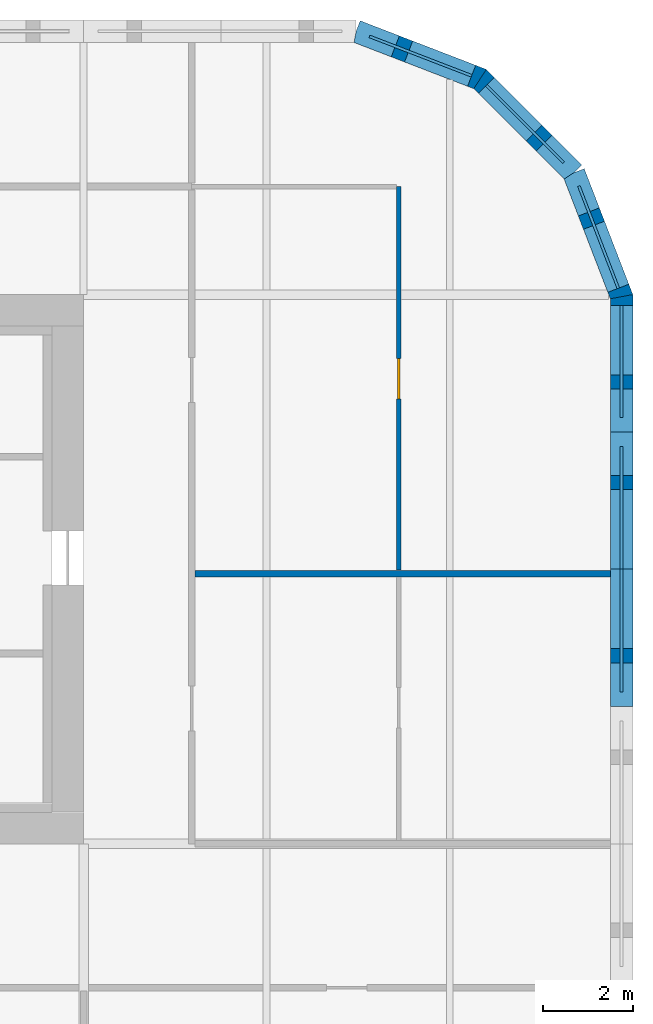
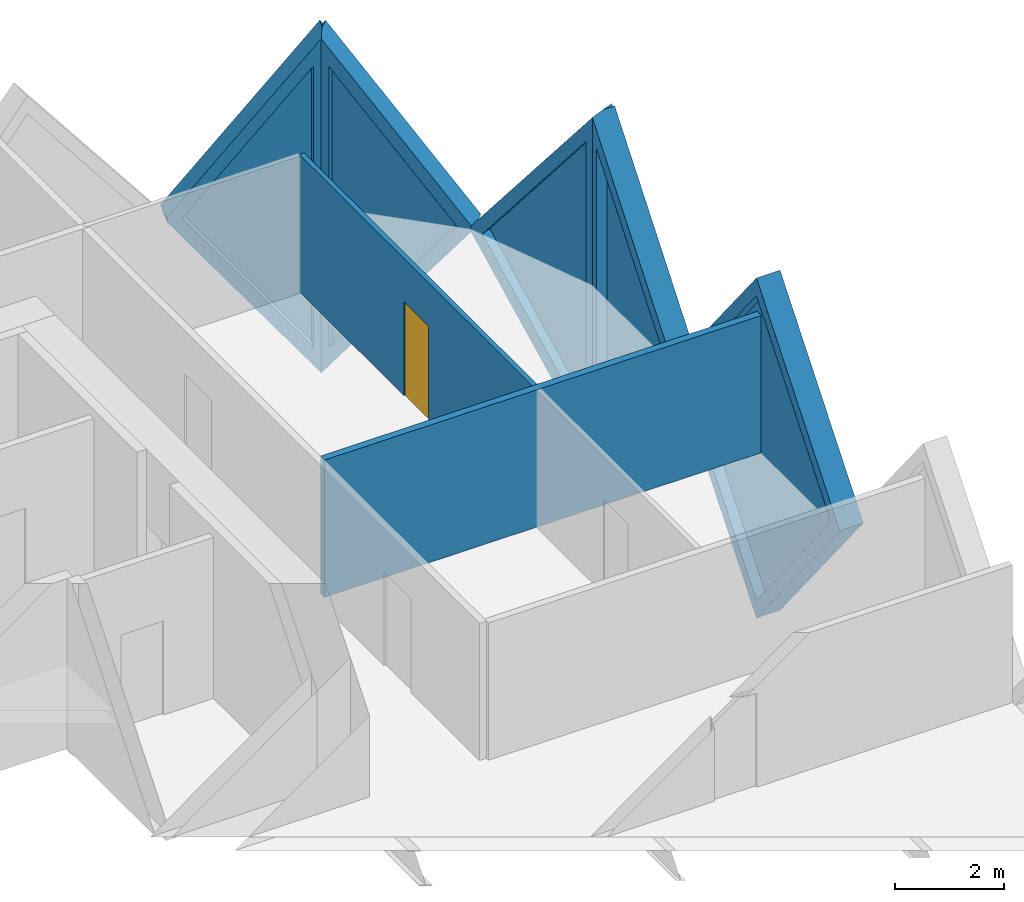
# One storey, part 15 of 18: 7 walls, 5 plates, 1 door, 6 openings.
"""IFC4 building model written with IfcOpenShell, lengths in metres."""

import ifcopenshell
import ifcopenshell.guid

model = None  # the IFC model being written
_history = None  # IfcOwnerHistory: only IFC2X3 demands one
_inside = {}  # id of a spatial element -> (the spatial element, [elements in it])
_under = {}  # id of a project, library or spatial element -> (it, [spatial elements below it])
_declared = {}  # id of a project -> (the project, [libraries it declares])
_typed = {}  # id of a type object -> (the type object, [elements of that type])
_made_of = {}  # id of a material, layer set ... -> (it, [elements and type objects made of it])


def new_model(schema):
    """Start an empty IFC model of exactly this schema.

    Asked for "IFC4X3", IfcOpenShell would pick the latest addendum, in which some entities
    have other attributes; the version numbers below select the first issue.
    IFC2X3 requires an IfcOwnerHistory on every rooted entity: one is made here for all.
    """
    global model, _history
    if schema == "IFC4X3":
        model = ifcopenshell.file(schema_version=(4, 3, 0, 0))
    else:
        model = ifcopenshell.file(schema=schema)
    _inside.clear()
    _under.clear()
    _declared.clear()
    _typed.clear()
    _made_of.clear()
    _history = None
    if model.schema == "IFC2X3":
        org = make("IfcOrganization", Name="unknown")
        user = make(
            "IfcPersonAndOrganization",
            ThePerson=make("IfcPerson", FamilyName="unknown"),
            TheOrganization=org,
        )
        app = make(
            "IfcApplication",
            ApplicationDeveloper=org,
            Version="unknown",
            ApplicationFullName="unknown",
            ApplicationIdentifier="unknown",
        )
        _history = make(
            "IfcOwnerHistory",
            OwningUser=user,
            OwningApplication=app,
            ChangeAction="ADDED",
            CreationDate=0,
        )
    return model


def make(cls, **values):
    """One entity of the class cls with the attributes given. An attribute that is None is left unset."""
    return model.create_entity(
        cls, **{name: value for name, value in values.items() if value is not None}
    )


def rooted(cls, **values):
    """An entity with a GlobalId (a new one), such as an element, a storey or a relation."""
    return make(cls, GlobalId=ifcopenshell.guid.new(), OwnerHistory=_history, **values)


def si_unit(unit_type, name, prefix=None):
    """IfcSIUnit, for example si_unit("LENGTHUNIT", "METRE", prefix="MILLI")."""
    return make("IfcSIUnit", UnitType=unit_type, Prefix=prefix, Name=name)


def assignment(units):
    """IfcUnitAssignment: the units of a project."""
    return None if units is None else make("IfcUnitAssignment", Units=units)


def point(xyz):
    """IfcCartesianPoint."""
    return None if xyz is None else make("IfcCartesianPoint", Coordinates=xyz)


def direction(xyz):
    """IfcDirection."""
    return None if xyz is None else make("IfcDirection", DirectionRatios=xyz)


def frame(location, z_axis=None, x_axis=None):
    """IfcAxis2Placement3D, a coordinate frame: its origin and axes. An axis left out is left unset."""
    return make(
        "IfcAxis2Placement3D",
        Location=point(location),
        Axis=direction(z_axis),
        RefDirection=direction(x_axis),
    )


def frame_2d(location, x_axis=None):
    """IfcAxis2Placement2D, a coordinate frame in the plane: its origin and x axis."""
    return make(
        "IfcAxis2Placement2D", Location=point(location), RefDirection=direction(x_axis)
    )


def origin():
    """The frame at (0, 0, 0) with its axes left unset."""
    return frame((0.0, 0.0, 0.0))


def place(relative_to, where):
    """IfcLocalPlacement: puts the frame where relative to a parent placement (None: the world)."""
    return make(
        "IfcLocalPlacement", PlacementRelTo=relative_to, RelativePlacement=where
    )


def context(
    kind, dimensions, precision=None, world=None, true_north=None, identifier=None
):
    """IfcGeometricRepresentationContext, for example the 3D "Model" context."""
    return make(
        "IfcGeometricRepresentationContext",
        ContextIdentifier=identifier,
        ContextType=kind,
        CoordinateSpaceDimension=dimensions,
        Precision=precision,
        WorldCoordinateSystem=world,
        TrueNorth=true_north,
    )


def subcontext(parent, identifier, kind, view, scale=None):
    """IfcGeometricRepresentationSubContext, for example "Body" below "Model"."""
    return make(
        "IfcGeometricRepresentationSubContext",
        ContextIdentifier=identifier,
        ContextType=kind,
        ParentContext=parent,
        TargetScale=scale,
        TargetView=view,
    )


def project(units=None, contexts=None):
    """IfcProject with its units and contexts."""
    return rooted(
        "IfcProject",
        Name="project",
        RepresentationContexts=contexts,
        UnitsInContext=assignment(units),
    )


def spatial(cls, under=None, at=None, **own):
    """A site, building, storey or space (cls), placed at a placement, below another one or the project."""
    s = rooted(cls, ObjectPlacement=at, **own)
    if under is not None:
        _under.setdefault(under.id(), (under, []))[1].append(s)
    return s


def polyline(points):
    """IfcPolyline through the points."""
    return make("IfcPolyline", Points=[point(p) for p in points])


def profile(cls, at=None, kind="AREA", **sizes):
    """A parametric profile (cls). Its sizes go by their IFC names, for example OverallWidth=200.0."""
    return make(cls, ProfileType=kind, Position=at, **sizes)


def rectangle(**sizes):
    """IfcRectangleProfileDef."""
    return profile("IfcRectangleProfileDef", **sizes)


def outline(outer, holes=None, kind="AREA"):
    """IfcArbitraryClosedProfileDef: a profile drawn as a closed curve; with holes, ...WithVoids."""
    if holes is None:
        return make("IfcArbitraryClosedProfileDef", ProfileType=kind, OuterCurve=outer)
    return make(
        "IfcArbitraryProfileDefWithVoids",
        ProfileType=kind,
        OuterCurve=outer,
        InnerCurves=holes,
    )


def extrude(swept, where, along, depth):
    """IfcExtrudedAreaSolid: the profile swept, set in the frame where, extruded along a direction by depth."""
    return make(
        "IfcExtrudedAreaSolid",
        SweptArea=swept,
        Position=where,
        ExtrudedDirection=direction(along),
        Depth=depth,
    )


def faces_of(points, faces, orient=None, outer=None):
    """IfcFace entities. A face is a list of loops; a loop is a list of indices into points, from 0.

    orient and outer hold one flag for each loop. By default every Orientation is true, the
    first loop of a face is its IfcFaceOuterBound and the others are IfcFaceBound.
    """
    made = []
    for i, loops in enumerate(faces):
        bounds = []
        for j, loop in enumerate(loops):
            is_outer = j == 0 if outer is None else outer[i][j]
            bounds.append(
                make(
                    "IfcFaceOuterBound" if is_outer else "IfcFaceBound",
                    Bound=make("IfcPolyLoop", Polygon=[points[k] for k in loop]),
                    Orientation=True if orient is None else orient[i][j],
                )
            )
        made.append(make("IfcFace", Bounds=bounds))
    return made


def faceted_brep(points, faces, orient=None, outer=None, voids=None):
    """IfcFacetedBrep: a solid bounded by flat faces; with voids (closed shells), ...WithVoids."""
    shared = [point(p) for p in points]
    hull = make("IfcClosedShell", CfsFaces=faces_of(shared, faces, orient, outer))
    if voids is None:
        return make("IfcFacetedBrep", Outer=hull)
    return make(
        "IfcFacetedBrepWithVoids",
        Outer=hull,
        Voids=[
            make(cls, CfsFaces=faces_of(shared, fs, o, b)) for cls, fs, o, b in voids
        ],
    )


def shape(context_of_items, identifier, shape_type, items):
    """IfcShapeRepresentation: the items that make up one representation, for example the "Body"."""
    return make(
        "IfcShapeRepresentation",
        ContextOfItems=context_of_items,
        RepresentationIdentifier=identifier,
        RepresentationType=shape_type,
        Items=items,
    )


def source(mapping_origin, context_of_items, identifier, shape_type, items):
    """IfcRepresentationMap: a shape defined once, which mapped items show again and again."""
    return make(
        "IfcRepresentationMap",
        MappingOrigin=mapping_origin,
        MappedRepresentation=shape(context_of_items, identifier, shape_type, items),
    )


def transform(
    local_origin,
    x_axis=None,
    y_axis=None,
    z_axis=None,
    scale=None,
    scale2=None,
    scale3=None,
    uniform=True,
):
    """IfcCartesianTransformationOperator3D, or its non-uniform kind. x_axis, y_axis, z_axis: its Axis1, 2, 3."""
    if uniform:
        return make(
            "IfcCartesianTransformationOperator3D",
            Axis1=direction(x_axis),
            Axis2=direction(y_axis),
            LocalOrigin=point(local_origin),
            Scale=scale,
            Axis3=direction(z_axis),
        )
    return make(
        "IfcCartesianTransformationOperator3DnonUniform",
        Axis1=direction(x_axis),
        Axis2=direction(y_axis),
        LocalOrigin=point(local_origin),
        Scale=scale,
        Axis3=direction(z_axis),
        Scale2=scale2,
        Scale3=scale3,
    )


def mapped(mapping_source, mapping_target):
    """IfcMappedItem: shows the shape of a source again, moved by a transform."""
    return make(
        "IfcMappedItem", MappingSource=mapping_source, MappingTarget=mapping_target
    )


def material(Name=None, Category=None):
    """IfcMaterial."""
    return make("IfcMaterial", Name=Name, Category=Category)


def layer(
    of_material, thickness, ventilated=None, Name=None, Category=None, Priority=None
):
    """IfcMaterialLayer: one layer of a wall or slab, of a material (None: an air gap)."""
    return make(
        "IfcMaterialLayer",
        Material=of_material,
        LayerThickness=thickness,
        IsVentilated=ventilated,
        Name=Name,
        Category=Category,
        Priority=Priority,
    )


def layer_set(layers, Name=None):
    """IfcMaterialLayerSet."""
    return make("IfcMaterialLayerSet", MaterialLayers=layers, LayerSetName=Name)


def made_of(thing, what):
    """Note that an element or type object is made of a material, layer set ...; save() writes the relation."""
    if what is not None:
        _made_of.setdefault(what.id(), (what, []))[1].append(thing)
    return thing


def type_object(cls, material=None, **own):
    """A type object (cls), such as IfcWallType, which elements share."""
    return made_of(rooted(cls, **own), material)


def element(
    cls,
    number,
    at=None,
    inside=None,
    cuts=None,
    type_object=None,
    material=None,
    context=None,
    identifier="Body",
    shape_type=None,
    held_by="IfcProductDefinitionShape",
    body=None,
    shapes=None,
    **own,
):
    """One element of the class cls, such as IfcWall. Its Tag is "e" and its number.

    at: its placement. inside: the storey or other place that contains it. cuts: it is an
    opening in that element (IfcRelVoidsElement). A single representation is given by context,
    identifier, shape_type and body (its items); several are given by shapes. held_by: the class
    of the entity that holds the representations. save() writes the other relations.
    """
    e = rooted(cls, Tag="e%d" % number, ObjectPlacement=at, **own)
    if body is not None:
        shapes = [shape(context, identifier, shape_type, body)]
    if shapes is not None:
        e.Representation = make(held_by, Representations=shapes)
    if inside is not None:
        _inside.setdefault(inside.id(), (inside, []))[1].append(e)
    if cuts is not None:
        rooted(
            "IfcRelVoidsElement", RelatingBuildingElement=cuts, RelatedOpeningElement=e
        )
    if type_object is not None:
        _typed.setdefault(type_object.id(), (type_object, []))[1].append(e)
    return made_of(e, material)


def fill(opening, filler):
    """IfcRelFillsElement: the door or window that sits in an opening."""
    return rooted(
        "IfcRelFillsElement",
        RelatingOpeningElement=opening,
        RelatedBuildingElement=filler,
    )


def aggregate(whole, parts):
    """IfcRelAggregates: a whole, such as a stair, and the parts it consists of."""
    return rooted("IfcRelAggregates", RelatingObject=whole, RelatedObjects=parts)


def save(model, path):
    """Write the relations noted so far, then the file.

    IfcRelAggregates (storeys below a building ...), IfcRelContainedInSpatialStructure (elements
    in a storey), IfcRelDefinesByType, IfcRelAssociatesMaterial and IfcRelDeclares: one each for
    every whole, place, type object, material and project.
    """
    for whole, parts in _under.values():
        aggregate(whole, parts)
    for where, things in _inside.values():
        rooted(
            "IfcRelContainedInSpatialStructure",
            RelatedElements=things,
            RelatingStructure=where,
        )
    for kind, things in _typed.values():
        rooted("IfcRelDefinesByType", RelatedObjects=things, RelatingType=kind)
    for what, things in _made_of.values():
        rooted("IfcRelAssociatesMaterial", RelatedObjects=things, RelatingMaterial=what)
    for by, libraries in _declared.values():
        rooted("IfcRelDeclares", RelatingContext=by, RelatedDefinitions=libraries)
    model.write(path)


model = new_model("IFC4")

# Units and contexts
model_context = context("Model", 3, precision=1e-05, world=origin(), true_north=direction((0.0, 1.0)))
body_context = subcontext(model_context, "Body", "Model", "MODEL_VIEW")
ifc_project = project(units=[si_unit("LENGTHUNIT", "METRE"), si_unit("AREAUNIT", "SQUARE_METRE"), si_unit("VOLUMEUNIT", "CUBIC_METRE"), si_unit("PLANEANGLEUNIT", "RADIAN"), si_unit("MASSUNIT", "GRAM", prefix="KILO")], contexts=[model_context])

# Site, building, storey
site_placement = place(None, origin())
site = spatial("IfcSite", under=ifc_project, at=site_placement, CompositionType="ELEMENT")
building_placement = place(site_placement, origin())
building = spatial("IfcBuilding", under=site, at=building_placement, Name="Tessera Gate Towers", CompositionType="ELEMENT")
storey_placement = place(building_placement, frame((0.0, 0.0, 37.199951171875)))
storey = spatial("IfcBuildingStorey", under=building, at=storey_placement, Name="L08", CompositionType="ELEMENT", Elevation=37.199951171875)

# Wall, opening, door
ifc_material_1 = material(Name="Glass", Category="glass")
ifc_layer_1 = layer(ifc_material_1, 0.10009765625)
ifc_layer_set_1 = layer_set([ifc_layer_1], Name="GLAZED PARTITION 100")
wall_type_1 = type_object("IfcWallType", Name="GLAZED PARTITION 100", PredefinedType="PARTITIONING", material=ifc_layer_set_1)
wall_1_placement = place(storey_placement, frame((129.0, 51.199951171875, 0.0), z_axis=(0.0, 0.0, 1.0), x_axis=(0.0, -1.0, 0.0)))
wall_1 = element("IfcWall", 1, at=wall_1_placement, inside=storey, type_object=wall_type_1, Name="T2-L08-PW-018", PredefinedType="PARTITIONING", context=body_context, shape_type="SweptSolid", body=[
    extrude(rectangle(XDim=8.52392578125, YDim=0.10009765625, at=frame_2d((4.261962890625, 0.0))), origin(), (0.0, 0.0, 1.0), 3.067138671875),
])
shared_shape_1 = source(origin(), body_context, "Body", "SweptSolid", [
    extrude(rectangle(XDim=0.89990234375, YDim=2.10009765625, at=frame_2d((0.449951171875, 1.050048828125))), frame((0.0, 0.06005859375, 0.0), z_axis=(0.0, -1.0, 0.0), x_axis=(1.0, 0.0, 0.0)), (0.0, 0.0, 1.0), 0.1201171875),
])
opening_1_placement = place(wall_1_placement, frame((3.823974609375, 0.0, 0.0)))
opening_1 = element("IfcOpeningElement", 2, at=opening_1_placement, cuts=wall_1, Name="Opening D690-B04-03", PredefinedType="OPENING", context=body_context, shape_type="MappedRepresentation", body=[
    mapped(shared_shape_1, transform((0.0, 0.0, 0.0), scale=1.0)),
])
ifc_material_2 = material(Name="Glass in aluminium frame", Category="aluminium")
door_type = type_object("IfcDoorType", Name="GLAZED DOOR 900 NOT RATED", OperationType="NOTDEFINED", PredefinedType="DOOR", material=ifc_material_2)
shared_shape_2 = source(origin(), body_context, "Body", "SweptSolid", [
    extrude(rectangle(XDim=0.89990234375, YDim=2.10009765625, at=frame_2d((0.449951171875, 1.050048828125))), frame((0.0, 0.02490234375, 0.0), z_axis=(0.0, -1.0, 0.0), x_axis=(1.0, 0.0, 0.0)), (0.0, 0.0, 1.0), 0.050048828125),
])
door_placement = place(opening_1_placement, origin())
door = element("IfcDoor", 3, at=door_placement, inside=storey, type_object=door_type, Name="T2-L08-PD-015", OperationType="SINGLE_SWING_RIGHT", OverallHeight=2.10009765625, OverallWidth=0.89990234375, PredefinedType="DOOR", context=body_context, shape_type="MappedRepresentation", body=[
    mapped(shared_shape_2, transform((0.0, 0.0, 0.0), scale=1.0)),
])
fill(opening_1, door)

# Wall
ifc_material_3 = material(Name="Gypsum board on steel studs, mineral wool", Category="steel")
ifc_layer_2 = layer(ifc_material_3, 0.14990234375)
ifc_layer_set_2 = layer_set([ifc_layer_2], Name="TENANCY WALL 150")
wall_type_2 = type_object("IfcWallType", Name="TENANCY WALL 150", PredefinedType="PARTITIONING", material=ifc_layer_set_2)
wall_2_placement = place(storey_placement, frame((124.47607421875, 42.60009765625, 0.0), z_axis=(0.0, 0.0, 1.0), x_axis=(1.0, 0.0, 0.0)))
element("IfcWall", 4, at=wall_2_placement, inside=storey, type_object=wall_type_2, Name="T2-L08-PW-017", PredefinedType="PARTITIONING", context=body_context, shape_type="SweptSolid", body=[
    extrude(rectangle(XDim=9.223876953125, YDim=0.14990234375, at=frame_2d((4.61181640625, 0.0))), origin(), (0.0, 0.0, 1.0), 3.067138671875),
])

# Wall, opening, plate
ifc_material_4 = material(Name="Precast concrete C60/75 white", Category="concrete")
ifc_layer_3 = layer(ifc_material_4, 0.5)
ifc_layer_set_3 = layer_set([ifc_layer_3], Name="TS1 tessera")
wall_type_3 = type_object("IfcWallType", Name="TS1 tessera", PredefinedType="SOLIDWALL", material=ifc_layer_set_3)
shared_shape_3 = source(origin(), body_context, "Body", "SweptSolid", [
    extrude(outline(polyline([(3.050048828125, 0.0), (6.10009765625, 3.800048828125), (3.050048828125, 7.60009765625), (0.0, 3.800048828125), (3.050048828125, 0.0)])), frame((0.0, 0.25, 0.0), z_axis=(0.0, -1.0, 0.0), x_axis=(1.0, 0.0, 0.0)), (0.0, 0.0, 1.0), 0.5),
])
wall_3_placement = place(storey_placement, frame((133.949951171875, 39.64990234375, -3.800048828125), z_axis=(0.0, 0.0, 1.0), x_axis=(0.0, 1.0, 0.0)))
wall_3 = element("IfcWall", 5, at=wall_3_placement, inside=storey, type_object=wall_type_3, Name="Precast tessera T2 TS1-0062", PredefinedType="SOLIDWALL", context=body_context, shape_type="MappedRepresentation", body=[
    mapped(shared_shape_3, transform((0.0, 0.0, 0.0), scale=1.0)),
])
shared_shape_4 = source(origin(), body_context, "Body", "SweptSolid", [
    extrude(outline(polyline([(3.050048828125, 0.3994140625), (5.779541015625, 3.800048828125), (3.050048828125, 7.20068359375), (0.320556640625, 3.800048828125), (3.050048828125, 0.3994140625)])), frame((0.0, 0.260009765625, 0.0), z_axis=(0.0, -1.0, 0.0), x_axis=(1.0, 0.0, 0.0)), (0.0, 0.0, 1.0), 0.52001953125),
])
opening_2_placement = place(wall_3_placement, origin())
opening_2 = element("IfcOpeningElement", 6, at=opening_2_placement, cuts=wall_3, Name="Opening T2-PL2-0114", PredefinedType="OPENING", context=body_context, shape_type="MappedRepresentation", body=[
    mapped(shared_shape_4, transform((0.0, 0.0, 0.0), scale=1.0)),
])
ifc_material_5 = material(Name="Low-e laminated glass", Category="glass")
ifc_layer_4 = layer(ifc_material_5, 0.06005859375)
ifc_layer_set_4 = layer_set([ifc_layer_4], Name="PL2 rhombic pane")
plate_type = type_object("IfcPlateType", Name="PL2 rhombic pane", PredefinedType="SHEET", material=ifc_layer_set_4)
shared_shape_5 = source(origin(), body_context, "Body", "SweptSolid", [
    extrude(outline(polyline([(3.050048828125, 0.3994140625), (5.779541015625, 3.800048828125), (3.050048828125, 7.20068359375), (0.320556640625, 3.800048828125), (3.050048828125, 0.3994140625)])), frame((0.0, 0.030029296875, 0.0), z_axis=(0.0, -1.0, 0.0), x_axis=(1.0, 0.0, 0.0)), (0.0, 0.0, 1.0), 0.06005859375),
])
plate_1_placement = place(opening_2_placement, origin())
plate_1 = element("IfcPlate", 7, at=plate_1_placement, inside=storey, type_object=plate_type, Name="Glass pane T2 PL2-0114", PredefinedType="SHEET", context=body_context, shape_type="MappedRepresentation", body=[
    mapped(shared_shape_5, transform((0.0, 0.0, 0.0), scale=1.0)),
])
fill(opening_2, plate_1)

ifc_material_6 = material(Name="Precast concrete C60/75 white", Category="concrete")
ifc_layer_5 = layer(ifc_material_6, 0.5)
ifc_layer_set_5 = layer_set([ifc_layer_5], Name="TS3 corner tessera")
wall_type_4 = type_object("IfcWallType", Name="TS3 corner tessera", PredefinedType="SOLIDWALL", material=ifc_layer_set_5)
shared_shape_6 = source(origin(), body_context, "Body", "Brep", [
    faceted_brep([(3.00341796875, -0.25, 0.0), (3.050048828125, -0.25, 0.06005859375), (3.050048828125, -0.25, 7.5400390625), (3.00341796875, -0.25, 7.60009765625), (0.0, -0.25, 3.800048828125), (0.0, 0.25, 3.800048828125), (2.956787109375, 0.25, 7.541259765625), (2.956787109375, 0.25, 0.058837890625), (3.00341796875, 0.000244140625, 0.0), (3.00341796875, 0.000244140625, 7.60009765625)], [[[0, 1, 2, 3, 4]], [[5, 6, 7]], [[1, 0, 8]], [[9, 3, 2]], [[6, 5, 4, 3, 9]], [[5, 7, 8, 0, 4]], [[1, 8, 7, 6, 9, 2]]]),
])
wall_4_placement = place(storey_placement, frame((133.949951171875, 45.75, -3.800048828125), z_axis=(0.0, 0.0, 1.0), x_axis=(0.0, 1.0, 0.0)))
wall_4 = element("IfcWall", 8, at=wall_4_placement, inside=storey, type_object=wall_type_4, Name="Precast corner tessera T2 TS3-0101", PredefinedType="SOLIDWALL", context=body_context, shape_type="MappedRepresentation", body=[
    mapped(shared_shape_6, transform((0.0, 0.0, 0.0), scale=1.0)),
])
shared_shape_7 = source(origin(), body_context, "Body", "SweptSolid", [
    extrude(outline(polyline([(2.803466796875, 6.94384765625), (0.318603515625, 3.800048828125), (2.803466796875, 0.65625), (2.803466796875, 6.94384765625)])), frame((0.0, 0.260009765625, 0.0), z_axis=(0.0, -1.0, 0.0), x_axis=(1.0, 0.0, 0.0)), (0.0, 0.0, 1.0), 0.52001953125),
])
opening_3_placement = place(wall_4_placement, origin())
opening_3 = element("IfcOpeningElement", 9, at=opening_3_placement, cuts=wall_4, Name="Opening T2-PL2-0115", PredefinedType="OPENING", context=body_context, shape_type="MappedRepresentation", body=[
    mapped(shared_shape_7, transform((0.0, 0.0, 0.0), scale=1.0)),
])
shared_shape_8 = source(origin(), body_context, "Body", "SweptSolid", [
    extrude(outline(polyline([(2.803466796875, 6.94384765625), (0.318603515625, 3.800048828125), (2.803466796875, 0.65625), (2.803466796875, 6.94384765625)])), frame((0.0, 0.030029296875, 0.0), z_axis=(0.0, -1.0, 0.0), x_axis=(1.0, 0.0, 0.0)), (0.0, 0.0, 1.0), 0.06005859375),
])
plate_2_placement = place(opening_3_placement, origin())
plate_2 = element("IfcPlate", 10, at=plate_2_placement, inside=storey, type_object=plate_type, Name="Glass pane T2 PL2-0115", PredefinedType="SHEET", context=body_context, shape_type="MappedRepresentation", body=[
    mapped(shared_shape_8, transform((0.0, 0.0, 0.0), scale=1.0)),
])
fill(opening_3, plate_2)

shared_shape_9 = source(origin(), body_context, "Body", "Brep", [
    faceted_brep([(0.046630859375, -0.25, 0.0), (2.9970703125, -0.25, 3.800048828125), (0.046630859375, -0.25, 7.60009765625), (0.0, -0.25, 7.541259765625), (0.0, -0.25, 0.058837890625), (0.09326171875, 0.25, 7.5400390625), (2.9443359375, 0.25, 3.8681640625), (2.9443359375, 0.25, 3.73193359375), (0.09326171875, 0.25, 0.06005859375), (2.9970703125, 0.00048828125, 3.800048828125), (0.046630859375, 0.0, 0.0), (0.046630859375, 0.0, 7.60009765625)], [[[0, 1, 2, 3, 4]], [[5, 6, 7, 8]], [[8, 7, 9, 1, 0, 10]], [[6, 5, 11, 2, 1, 9]], [[3, 2, 11]], [[10, 0, 4]], [[8, 10, 4, 3, 11, 5]], [[9, 7, 6]]]),
])
wall_5_placement = place(storey_placement, frame((133.966796875, 48.7099609375, -3.800048828125), z_axis=(0.0, 0.0, 1.0), x_axis=(-0.359901446078, 0.932990326376, 0.0)))
wall_5 = element("IfcWall", 11, at=wall_5_placement, inside=storey, type_object=wall_type_4, Name="Precast corner tessera T2 TS3-0102", PredefinedType="SOLIDWALL", context=body_context, shape_type="MappedRepresentation", body=[
    mapped(shared_shape_9, transform((0.0, 0.0, 0.0), scale=1.0)),
])
shared_shape_10 = source(origin(), body_context, "Body", "SweptSolid", [
    extrude(outline(polyline([(0.24658203125, 0.665283203125), (2.6806640625, 3.800048828125), (0.24658203125, 6.934814453125), (0.24658203125, 0.665283203125)])), frame((0.0, 0.260009765625, 0.0), z_axis=(0.0, -1.0, 0.0), x_axis=(1.0, 0.0, 0.0)), (0.0, 0.0, 1.0), 0.52001953125),
])
opening_4_placement = place(wall_5_placement, origin())
opening_4 = element("IfcOpeningElement", 12, at=opening_4_placement, cuts=wall_5, Name="Opening T2-PL2-0116", PredefinedType="OPENING", context=body_context, shape_type="MappedRepresentation", body=[
    mapped(shared_shape_10, transform((0.0, 0.0, 0.0), scale=1.0)),
])
shared_shape_11 = source(origin(), body_context, "Body", "SweptSolid", [
    extrude(outline(polyline([(0.24658203125, 0.665283203125), (2.6806640625, 3.800048828125), (0.24658203125, 6.934814453125), (0.24658203125, 0.665283203125)])), frame((0.0, 0.030029296875, 0.0), z_axis=(0.0, -1.0, 0.0), x_axis=(1.0, 0.0, 0.0)), (0.0, 0.0, 1.0), 0.06005859375),
])
plate_3_placement = place(opening_4_placement, origin())
plate_3 = element("IfcPlate", 13, at=plate_3_placement, inside=storey, type_object=plate_type, Name="Glass pane T2 PL2-0116", PredefinedType="SHEET", context=body_context, shape_type="MappedRepresentation", body=[
    mapped(shared_shape_11, transform((0.0, 0.0, 0.0), scale=1.0)),
])
fill(opening_4, plate_3)

shared_shape_12 = source(origin(), body_context, "Body", "Brep", [
    faceted_brep([(0.052978515625, -0.25, 0.0), (3.00341796875, -0.25, 3.800048828125), (0.052978515625, -0.25, 7.60009765625), (0.0, -0.25, 7.53173828125), (0.0, -0.25, 0.068359375), (0.10595703125, 0.25, 7.531982421875), (2.95703125, 0.25, 3.85986328125), (2.95703125, 0.25, 3.740234375), (0.10595703125, 0.25, 0.068115234375), (3.00341796875, 0.00048828125, 3.800048828125), (0.052978515625, 0.0, 0.0), (0.052978515625, 0.0, 7.60009765625)], [[[0, 1, 2, 3, 4]], [[5, 6, 7, 8]], [[8, 7, 9, 1, 0, 10]], [[6, 5, 11, 2, 1, 9]], [[3, 2, 11]], [[10, 0, 4]], [[8, 10, 4, 3, 11, 5]], [[9, 7, 6]]]),
])
wall_6_placement = place(storey_placement, frame((130.855712890625, 53.569091796875, -3.800048828125), z_axis=(0.0, 0.0, 1.0), x_axis=(-0.933007896601, 0.359855894603, 0.0)))
wall_6 = element("IfcWall", 14, at=wall_6_placement, inside=storey, type_object=wall_type_4, Name="Precast corner tessera T2 TS3-0104", PredefinedType="SOLIDWALL", context=body_context, shape_type="MappedRepresentation", body=[
    mapped(shared_shape_12, transform((0.0, 0.0, 0.0), scale=1.0)),
])
shared_shape_13 = source(origin(), body_context, "Body", "SweptSolid", [
    extrude(outline(polyline([(0.2529296875, 0.665283203125), (2.68701171875, 3.800048828125), (0.2529296875, 6.934814453125), (0.2529296875, 0.665283203125)])), frame((0.0, 0.260009765625, 0.0), z_axis=(0.0, -1.0, 0.0), x_axis=(1.0, 0.0, 0.0)), (0.0, 0.0, 1.0), 0.52001953125),
])
opening_5_placement = place(wall_6_placement, origin())
opening_5 = element("IfcOpeningElement", 15, at=opening_5_placement, cuts=wall_6, Name="Opening T2-PL2-0118", PredefinedType="OPENING", context=body_context, shape_type="MappedRepresentation", body=[
    mapped(shared_shape_13, transform((0.0, 0.0, 0.0), scale=1.0)),
])
shared_shape_14 = source(origin(), body_context, "Body", "SweptSolid", [
    extrude(outline(polyline([(0.2529296875, 0.665283203125), (2.68701171875, 3.800048828125), (0.2529296875, 6.934814453125), (0.2529296875, 0.665283203125)])), frame((0.0, 0.030029296875, 0.0), z_axis=(0.0, -1.0, 0.0), x_axis=(1.0, 0.0, 0.0)), (0.0, 0.0, 1.0), 0.06005859375),
])
plate_4_placement = place(opening_5_placement, origin())
plate_4 = element("IfcPlate", 16, at=plate_4_placement, inside=storey, type_object=plate_type, Name="Glass pane T2 PL2-0118", PredefinedType="SHEET", context=body_context, shape_type="MappedRepresentation", body=[
    mapped(shared_shape_14, transform((0.0, 0.0, 0.0), scale=1.0)),
])
fill(opening_5, plate_4)

shared_shape_15 = source(origin(), body_context, "Body", "Brep", [
    faceted_brep([(2.944091796875, -0.25, 0.0), (2.9970703125, -0.25, 0.068115234375), (2.9970703125, -0.25, 7.531982421875), (2.944091796875, -0.25, 7.60009765625), (0.0, -0.25, 3.800048828125), (0.052978515625, 0.25, 3.868408203125), (2.89111328125, 0.25, 7.531982421875), (2.89111328125, 0.25, 0.068115234375), (0.052978515625, 0.25, 3.731689453125), (2.944091796875, 0.000244140625, 0.0), (2.944091796875, 0.000244140625, 7.60009765625), (0.0, 0.0, 3.800048828125)], [[[0, 1, 2, 3, 4]], [[5, 6, 7, 8]], [[1, 0, 9]], [[10, 3, 2]], [[6, 5, 11, 4, 3, 10]], [[8, 7, 9, 0, 4, 11]], [[8, 11, 5]], [[1, 9, 7, 6, 10, 2]]]),
])
wall_7_placement = place(storey_placement, frame((132.88818359375, 51.50634765625, -3.800048828125), z_axis=(0.0, 0.0, 1.0), x_axis=(-0.707147509625, 0.707066050402, 0.0)))
wall_7 = element("IfcWall", 17, at=wall_7_placement, inside=storey, type_object=wall_type_4, Name="Precast corner tessera T2 TS3-0103", PredefinedType="SOLIDWALL", context=body_context, shape_type="MappedRepresentation", body=[
    mapped(shared_shape_15, transform((0.0, 0.0, 0.0), scale=1.0)),
])
shared_shape_16 = source(origin(), body_context, "Body", "SweptSolid", [
    extrude(outline(polyline([(2.744140625, 6.933837890625), (0.316162109375, 3.800048828125), (2.744140625, 0.66650390625), (2.744140625, 6.933837890625)])), frame((0.0, 0.260009765625, 0.0), z_axis=(0.0, -1.0, 0.0), x_axis=(1.0, 0.0, 0.0)), (0.0, 0.0, 1.0), 0.52001953125),
])
opening_6_placement = place(wall_7_placement, origin())
opening_6 = element("IfcOpeningElement", 18, at=opening_6_placement, cuts=wall_7, Name="Opening T2-PL2-0117", PredefinedType="OPENING", context=body_context, shape_type="MappedRepresentation", body=[
    mapped(shared_shape_16, transform((0.0, 0.0, 0.0), scale=1.0)),
])
shared_shape_17 = source(origin(), body_context, "Body", "SweptSolid", [
    extrude(outline(polyline([(2.744140625, 6.933837890625), (0.316162109375, 3.800048828125), (2.744140625, 0.66650390625), (2.744140625, 6.933837890625)])), frame((0.0, 0.030029296875, 0.0), z_axis=(0.0, -1.0, 0.0), x_axis=(1.0, 0.0, 0.0)), (0.0, 0.0, 1.0), 0.06005859375),
])
plate_5_placement = place(opening_6_placement, origin())
plate_5 = element("IfcPlate", 19, at=plate_5_placement, inside=storey, type_object=plate_type, Name="Glass pane T2 PL2-0117", PredefinedType="SHEET", context=body_context, shape_type="MappedRepresentation", body=[
    mapped(shared_shape_17, transform((0.0, 0.0, 0.0), scale=1.0)),
])
fill(opening_6, plate_5)

save(model, "model.ifc")
